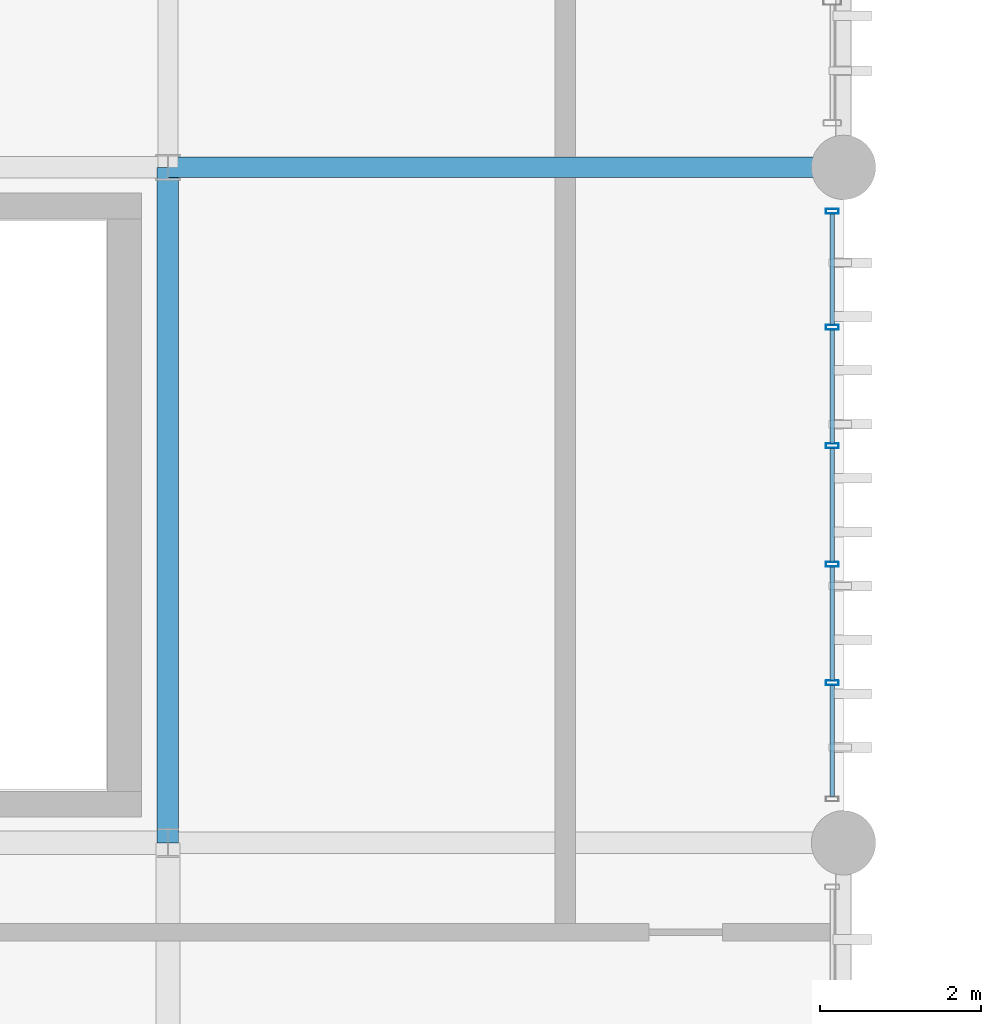
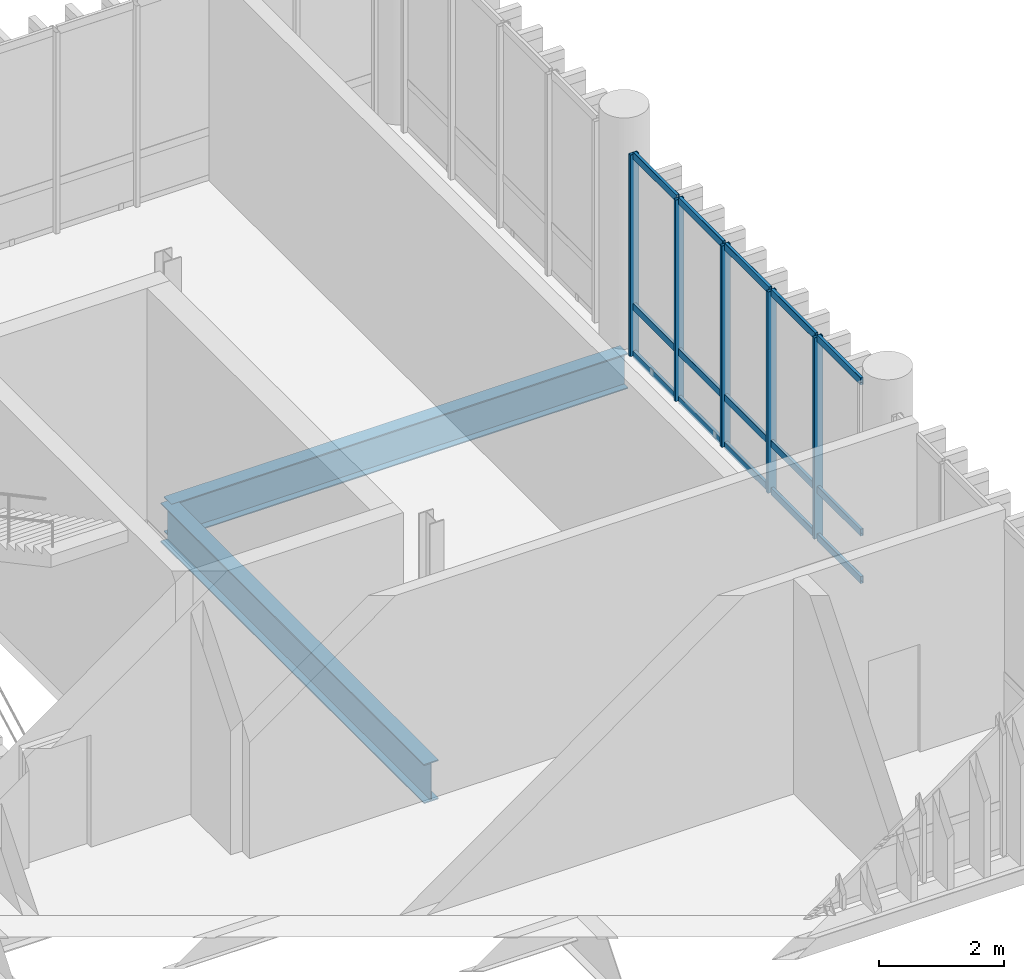
# One storey, part 31 of 68: 20 members, 2 beams, 1 element without a shape of its own.
"""IFC4 building model written with IfcOpenShell, lengths in metres."""

from ifc_helpers import new_model, si_unit, direction, frame, origin_with_axes, origin_2d_with_axis, place, context, subcontext, project, spatial, hollow_rectangle, i_section, extrude, material, material_profile, profile_set, type_object, element, aggregate, save


model = new_model("IFC4")

# Units and contexts
model_context = context("Model", 3, precision=1e-05, world=origin_with_axes(), true_north=direction((0.0, 1.0)))
body_context = subcontext(model_context, "Body", "Model", "MODEL_VIEW")
ifc_project = project(units=[si_unit("LENGTHUNIT", "METRE"), si_unit("AREAUNIT", "SQUARE_METRE"), si_unit("VOLUMEUNIT", "CUBIC_METRE"), si_unit("PLANEANGLEUNIT", "RADIAN"), si_unit("MASSUNIT", "GRAM", prefix="KILO"), si_unit("THERMODYNAMICTEMPERATUREUNIT", "KELVIN")], contexts=[model_context])

# Site, building, storey
site_placement = place(None, origin_with_axes())
site = spatial("IfcSite", under=ifc_project, at=site_placement, CompositionType="ELEMENT")
building_placement = place(site_placement, origin_with_axes())
building = spatial("IfcBuilding", under=site, at=building_placement, Name="Montbau Bow Law Courts", CompositionType="ELEMENT")
storey_placement = place(building_placement, frame((0.0, 0.0, 20.4), z_axis=(0.0, 0.0, 1.0), x_axis=(1.0, 0.0, 0.0)))
storey = spatial("IfcBuildingStorey", under=building, at=storey_placement, Name="L04", CompositionType="ELEMENT", Elevation=20.4)

# Beams
ifc_material_1 = material(Name="Steel CSA G40.21 Grade 350W (350 MPa)", Category="steel")
ifc_material_profile_1 = material_profile(ifc_material_1, i_section(OverallWidth=0.267, OverallDepth=0.766, WebThickness=0.0149, FlangeThickness=0.0236, at=origin_2d_with_axis()), Name="W760X185", Category="Main", Priority=0)
ifc_profile_set_1 = profile_set([ifc_material_profile_1], Name="Steel CSA G40.21 Grade 350W (350 MPa)")
beam_type_1 = type_object("IfcBeamType", Name="B-FLR-03", PredefinedType="BEAM", material=ifc_profile_set_1)
beam_1_placement = place(None, frame((88.8, 46.2, 19.737), z_axis=(0.0, 1.0, 0.0), x_axis=(-1.0, 0.0, 0.0)))
element("IfcBeam", 1, at=beam_1_placement, inside=storey, type_object=beam_type_1, Name="BM-L04-S0952:bm2_0955", PredefinedType="BEAM", context=body_context, shape_type="SweptSolid", body=[
    extrude(i_section(OverallWidth=0.267, OverallDepth=0.766, WebThickness=0.0149, FlangeThickness=0.0236, at=origin_2d_with_axis()), origin_with_axes(), (0.0, 0.0, 1.0), 8.4),
])
ifc_material_profile_2 = material_profile(ifc_material_1, i_section(OverallWidth=0.254, OverallDepth=0.688, WebThickness=0.0131, FlangeThickness=0.0211, at=origin_2d_with_axis()), Name="W690X152", Category="Main", Priority=0)
ifc_profile_set_2 = profile_set([ifc_material_profile_2], Name="Steel CSA G40.21 Grade 350W (350 MPa)")
beam_type_2 = type_object("IfcBeamType", Name="B-FLR-04", PredefinedType="BEAM", material=ifc_profile_set_2)
beam_2_placement = place(None, frame((88.8, 54.6, 19.776), z_axis=(1.0, 0.0, 0.0), x_axis=(0.0, 1.0, 0.0)))
element("IfcBeam", 2, at=beam_2_placement, inside=storey, type_object=beam_type_2, Name="BM-L04-S0932:bm2_0935", PredefinedType="BEAM", context=body_context, shape_type="SweptSolid", body=[
    extrude(i_section(OverallWidth=0.254, OverallDepth=0.688, WebThickness=0.0131, FlangeThickness=0.0211, at=origin_2d_with_axis()), origin_with_axes(), (0.0, 0.0, 1.0), 8.4),
])

# Curtain wall, members
ifc_material_2 = material(Name="Thermally Broken Extruded Aluminium AA 6063-T6", Category="aluminium")
curtain_wall_type = type_object("IfcCurtainWallType", Name="CW-CRM-01", PredefinedType="NOTDEFINED", material=ifc_material_2)
curtain_wall_placement = place(None, frame((97.06, 46.715, 20.4), z_axis=(0.0, 0.0, 1.0), x_axis=(1.0, 0.0, 0.0)))
curtain_wall = element("IfcCurtainWall", 3, at=curtain_wall_placement, inside=storey, type_object=curtain_wall_type, Name="CW-L04-209:cw_0209", PredefinedType="NOTDEFINED")
ifc_material_profile_3 = material_profile(ifc_material_2, hollow_rectangle(XDim=0.06, YDim=0.16, WallThickness=0.004, InnerFilletRadius=0.008, OuterFilletRadius=0.004, at=origin_2d_with_axis()), Name="CWM-160X60", Category="Main", Priority=0)
ifc_profile_set_3 = profile_set([ifc_material_profile_3], Name="Thermally Broken Extruded Aluminium AA 6063-T6")
member_type_1 = type_object("IfcMemberType", Name="M-MUL-03", PredefinedType="MULLION", material=ifc_profile_set_3)
member_1_placement = place(None, frame((97.06, 48.189, 20.4), z_axis=(0.0, 0.0, 1.0), x_axis=(0.0, 1.0, 0.0)))
member_1 = element("IfcMember", 4, at=member_1_placement, type_object=member_type_1, Name="CW-L04-209-M02:cw_0209_M02", PredefinedType="MULLION", context=body_context, shape_type="SweptSolid", body=[
    extrude(hollow_rectangle(XDim=0.06, YDim=0.16, WallThickness=0.004, InnerFilletRadius=0.008, OuterFilletRadius=0.004, at=origin_2d_with_axis()), origin_with_axes(), (0.0, 0.0, 1.0), 3.92),
])
member_2_placement = place(None, frame((97.06, 49.663, 20.4), z_axis=(0.0, 0.0, 1.0), x_axis=(0.0, 1.0, 0.0)))
member_2 = element("IfcMember", 5, at=member_2_placement, type_object=member_type_1, Name="CW-L04-209-M03:cw_0209_M03", PredefinedType="MULLION", context=body_context, shape_type="SweptSolid", body=[
    extrude(hollow_rectangle(XDim=0.06, YDim=0.16, WallThickness=0.004, InnerFilletRadius=0.008, OuterFilletRadius=0.004, at=origin_2d_with_axis()), origin_with_axes(), (0.0, 0.0, 1.0), 3.92),
])
member_3_placement = place(None, frame((97.06, 51.137, 20.4), z_axis=(0.0, 0.0, 1.0), x_axis=(0.0, 1.0, 0.0)))
member_3 = element("IfcMember", 6, at=member_3_placement, type_object=member_type_1, Name="CW-L04-209-M04:cw_0209_M04", PredefinedType="MULLION", context=body_context, shape_type="SweptSolid", body=[
    extrude(hollow_rectangle(XDim=0.06, YDim=0.16, WallThickness=0.004, InnerFilletRadius=0.008, OuterFilletRadius=0.004, at=origin_2d_with_axis()), origin_with_axes(), (0.0, 0.0, 1.0), 3.92),
])
member_4_placement = place(None, frame((97.06, 52.611, 20.4), z_axis=(0.0, 0.0, 1.0), x_axis=(0.0, 1.0, 0.0)))
member_4 = element("IfcMember", 7, at=member_4_placement, type_object=member_type_1, Name="CW-L04-209-M05:cw_0209_M05", PredefinedType="MULLION", context=body_context, shape_type="SweptSolid", body=[
    extrude(hollow_rectangle(XDim=0.06, YDim=0.16, WallThickness=0.004, InnerFilletRadius=0.008, OuterFilletRadius=0.004, at=origin_2d_with_axis()), origin_with_axes(), (0.0, 0.0, 1.0), 3.92),
])
member_5_placement = place(None, frame((97.06, 54.055, 20.4), z_axis=(0.0, 0.0, 1.0), x_axis=(0.0, 1.0, 0.0)))
member_5 = element("IfcMember", 8, at=member_5_placement, type_object=member_type_1, Name="CW-L04-209-M06:cw_0209_M06", PredefinedType="MULLION", context=body_context, shape_type="SweptSolid", body=[
    extrude(hollow_rectangle(XDim=0.06, YDim=0.16, WallThickness=0.004, InnerFilletRadius=0.008, OuterFilletRadius=0.004, at=origin_2d_with_axis()), origin_with_axes(), (0.0, 0.0, 1.0), 3.92),
])
ifc_material_profile_4 = material_profile(ifc_material_2, hollow_rectangle(XDim=0.055, YDim=0.14, WallThickness=0.004, InnerFilletRadius=0.008, OuterFilletRadius=0.004, at=origin_2d_with_axis()), Name="CWT-140X55", Category="Main", Priority=0)
ifc_profile_set_4 = profile_set([ifc_material_profile_4], Name="Thermally Broken Extruded Aluminium AA 6063-T6")
member_type_2 = type_object("IfcMemberType", Name="M-TRN-02", PredefinedType="USERDEFINED", material=ifc_profile_set_4)
member_6_placement = place(None, frame((97.06, 46.777, 20.427), z_axis=(0.0, 1.0, 0.0), x_axis=(-1.0, 0.0, 0.0)))
member_6 = element("IfcMember", 9, at=member_6_placement, type_object=member_type_2, Name="CW-L04-209-T01-1:cw_0209_T01_1", ObjectType="TRANSOM", PredefinedType="USERDEFINED", context=body_context, shape_type="SweptSolid", body=[
    extrude(hollow_rectangle(XDim=0.055, YDim=0.14, WallThickness=0.004, InnerFilletRadius=0.008, OuterFilletRadius=0.004, at=origin_2d_with_axis()), origin_with_axes(), (0.0, 0.0, 1.0), 1.38),
])
member_7_placement = place(None, frame((97.06, 46.777, 21.35), z_axis=(0.0, 1.0, 0.0), x_axis=(-1.0, 0.0, 0.0)))
member_7 = element("IfcMember", 10, at=member_7_placement, type_object=member_type_2, Name="CW-L04-209-T01-2:cw_0209_T01_2", ObjectType="TRANSOM", PredefinedType="USERDEFINED", context=body_context, shape_type="SweptSolid", body=[
    extrude(hollow_rectangle(XDim=0.055, YDim=0.14, WallThickness=0.004, InnerFilletRadius=0.008, OuterFilletRadius=0.004, at=origin_2d_with_axis()), origin_with_axes(), (0.0, 0.0, 1.0), 1.38),
])
member_8_placement = place(None, frame((97.06, 46.777, 24.293), z_axis=(0.0, 1.0, 0.0), x_axis=(-1.0, 0.0, 0.0)))
member_8 = element("IfcMember", 11, at=member_8_placement, type_object=member_type_2, Name="CW-L04-209-T01-3:cw_0209_T01_3", ObjectType="TRANSOM", PredefinedType="USERDEFINED", context=body_context, shape_type="SweptSolid", body=[
    extrude(hollow_rectangle(XDim=0.055, YDim=0.14, WallThickness=0.004, InnerFilletRadius=0.008, OuterFilletRadius=0.004, at=origin_2d_with_axis()), origin_with_axes(), (0.0, 0.0, 1.0), 1.38),
])
member_9_placement = place(None, frame((97.06, 48.221, 20.427), z_axis=(0.0, 1.0, 0.0), x_axis=(-1.0, 0.0, 0.0)))
member_9 = element("IfcMember", 12, at=member_9_placement, type_object=member_type_2, Name="CW-L04-209-T02-1:cw_0209_T02_1", ObjectType="TRANSOM", PredefinedType="USERDEFINED", context=body_context, shape_type="SweptSolid", body=[
    extrude(hollow_rectangle(XDim=0.055, YDim=0.14, WallThickness=0.004, InnerFilletRadius=0.008, OuterFilletRadius=0.004, at=origin_2d_with_axis()), origin_with_axes(), (0.0, 0.0, 1.0), 1.41),
])
member_10_placement = place(None, frame((97.06, 48.221, 21.35), z_axis=(0.0, 1.0, 0.0), x_axis=(-1.0, 0.0, 0.0)))
member_10 = element("IfcMember", 13, at=member_10_placement, type_object=member_type_2, Name="CW-L04-209-T02-2:cw_0209_T02_2", ObjectType="TRANSOM", PredefinedType="USERDEFINED", context=body_context, shape_type="SweptSolid", body=[
    extrude(hollow_rectangle(XDim=0.055, YDim=0.14, WallThickness=0.004, InnerFilletRadius=0.008, OuterFilletRadius=0.004, at=origin_2d_with_axis()), origin_with_axes(), (0.0, 0.0, 1.0), 1.41),
])
member_11_placement = place(None, frame((97.06, 48.221, 24.293), z_axis=(0.0, 1.0, 0.0), x_axis=(-1.0, 0.0, 0.0)))
member_11 = element("IfcMember", 14, at=member_11_placement, type_object=member_type_2, Name="CW-L04-209-T02-3:cw_0209_T02_3", ObjectType="TRANSOM", PredefinedType="USERDEFINED", context=body_context, shape_type="SweptSolid", body=[
    extrude(hollow_rectangle(XDim=0.055, YDim=0.14, WallThickness=0.004, InnerFilletRadius=0.008, OuterFilletRadius=0.004, at=origin_2d_with_axis()), origin_with_axes(), (0.0, 0.0, 1.0), 1.41),
])
member_12_placement = place(None, frame((97.06, 49.695, 20.427), z_axis=(0.0, 1.0, 0.0), x_axis=(-1.0, 0.0, 0.0)))
member_12 = element("IfcMember", 15, at=member_12_placement, type_object=member_type_2, Name="CW-L04-209-T03-1:cw_0209_T03_1", ObjectType="TRANSOM", PredefinedType="USERDEFINED", context=body_context, shape_type="SweptSolid", body=[
    extrude(hollow_rectangle(XDim=0.055, YDim=0.14, WallThickness=0.004, InnerFilletRadius=0.008, OuterFilletRadius=0.004, at=origin_2d_with_axis()), origin_with_axes(), (0.0, 0.0, 1.0), 1.41),
])
member_13_placement = place(None, frame((97.06, 49.695, 21.35), z_axis=(0.0, 1.0, 0.0), x_axis=(-1.0, 0.0, 0.0)))
member_13 = element("IfcMember", 16, at=member_13_placement, type_object=member_type_2, Name="CW-L04-209-T03-2:cw_0209_T03_2", ObjectType="TRANSOM", PredefinedType="USERDEFINED", context=body_context, shape_type="SweptSolid", body=[
    extrude(hollow_rectangle(XDim=0.055, YDim=0.14, WallThickness=0.004, InnerFilletRadius=0.008, OuterFilletRadius=0.004, at=origin_2d_with_axis()), origin_with_axes(), (0.0, 0.0, 1.0), 1.41),
])
member_14_placement = place(None, frame((97.06, 49.695, 24.293), z_axis=(0.0, 1.0, 0.0), x_axis=(-1.0, 0.0, 0.0)))
member_14 = element("IfcMember", 17, at=member_14_placement, type_object=member_type_2, Name="CW-L04-209-T03-3:cw_0209_T03_3", ObjectType="TRANSOM", PredefinedType="USERDEFINED", context=body_context, shape_type="SweptSolid", body=[
    extrude(hollow_rectangle(XDim=0.055, YDim=0.14, WallThickness=0.004, InnerFilletRadius=0.008, OuterFilletRadius=0.004, at=origin_2d_with_axis()), origin_with_axes(), (0.0, 0.0, 1.0), 1.41),
])
member_15_placement = place(None, frame((97.06, 51.169, 20.427), z_axis=(0.0, 1.0, 0.0), x_axis=(-1.0, 0.0, 0.0)))
member_15 = element("IfcMember", 18, at=member_15_placement, type_object=member_type_2, Name="CW-L04-209-T04-1:cw_0209_T04_1", ObjectType="TRANSOM", PredefinedType="USERDEFINED", context=body_context, shape_type="SweptSolid", body=[
    extrude(hollow_rectangle(XDim=0.055, YDim=0.14, WallThickness=0.004, InnerFilletRadius=0.008, OuterFilletRadius=0.004, at=origin_2d_with_axis()), origin_with_axes(), (0.0, 0.0, 1.0), 1.41),
])
member_16_placement = place(None, frame((97.06, 51.169, 21.35), z_axis=(0.0, 1.0, 0.0), x_axis=(-1.0, 0.0, 0.0)))
member_16 = element("IfcMember", 19, at=member_16_placement, type_object=member_type_2, Name="CW-L04-209-T04-2:cw_0209_T04_2", ObjectType="TRANSOM", PredefinedType="USERDEFINED", context=body_context, shape_type="SweptSolid", body=[
    extrude(hollow_rectangle(XDim=0.055, YDim=0.14, WallThickness=0.004, InnerFilletRadius=0.008, OuterFilletRadius=0.004, at=origin_2d_with_axis()), origin_with_axes(), (0.0, 0.0, 1.0), 1.41),
])
member_17_placement = place(None, frame((97.06, 51.169, 24.293), z_axis=(0.0, 1.0, 0.0), x_axis=(-1.0, 0.0, 0.0)))
member_17 = element("IfcMember", 20, at=member_17_placement, type_object=member_type_2, Name="CW-L04-209-T04-3:cw_0209_T04_3", ObjectType="TRANSOM", PredefinedType="USERDEFINED", context=body_context, shape_type="SweptSolid", body=[
    extrude(hollow_rectangle(XDim=0.055, YDim=0.14, WallThickness=0.004, InnerFilletRadius=0.008, OuterFilletRadius=0.004, at=origin_2d_with_axis()), origin_with_axes(), (0.0, 0.0, 1.0), 1.41),
])
member_18_placement = place(None, frame((97.06, 52.643, 20.427), z_axis=(0.0, 1.0, 0.0), x_axis=(-1.0, 0.0, 0.0)))
member_18 = element("IfcMember", 21, at=member_18_placement, type_object=member_type_2, Name="CW-L04-209-T05-1:cw_0209_T05_1", ObjectType="TRANSOM", PredefinedType="USERDEFINED", context=body_context, shape_type="SweptSolid", body=[
    extrude(hollow_rectangle(XDim=0.055, YDim=0.14, WallThickness=0.004, InnerFilletRadius=0.008, OuterFilletRadius=0.004, at=origin_2d_with_axis()), origin_with_axes(), (0.0, 0.0, 1.0), 1.38),
])
member_19_placement = place(None, frame((97.06, 52.643, 21.35), z_axis=(0.0, 1.0, 0.0), x_axis=(-1.0, 0.0, 0.0)))
member_19 = element("IfcMember", 22, at=member_19_placement, type_object=member_type_2, Name="CW-L04-209-T05-2:cw_0209_T05_2", ObjectType="TRANSOM", PredefinedType="USERDEFINED", context=body_context, shape_type="SweptSolid", body=[
    extrude(hollow_rectangle(XDim=0.055, YDim=0.14, WallThickness=0.004, InnerFilletRadius=0.008, OuterFilletRadius=0.004, at=origin_2d_with_axis()), origin_with_axes(), (0.0, 0.0, 1.0), 1.38),
])
member_20_placement = place(None, frame((97.06, 52.643, 24.293), z_axis=(0.0, 1.0, 0.0), x_axis=(-1.0, 0.0, 0.0)))
member_20 = element("IfcMember", 23, at=member_20_placement, type_object=member_type_2, Name="CW-L04-209-T05-3:cw_0209_T05_3", ObjectType="TRANSOM", PredefinedType="USERDEFINED", context=body_context, shape_type="SweptSolid", body=[
    extrude(hollow_rectangle(XDim=0.055, YDim=0.14, WallThickness=0.004, InnerFilletRadius=0.008, OuterFilletRadius=0.004, at=origin_2d_with_axis()), origin_with_axes(), (0.0, 0.0, 1.0), 1.38),
])
aggregate(curtain_wall, [member_1, member_2, member_3, member_4, member_5, member_6, member_7, member_8, member_9, member_10, member_11, member_12, member_13, member_14, member_15, member_16, member_17, member_18, member_19, member_20])

save(model, "model.ifc")
